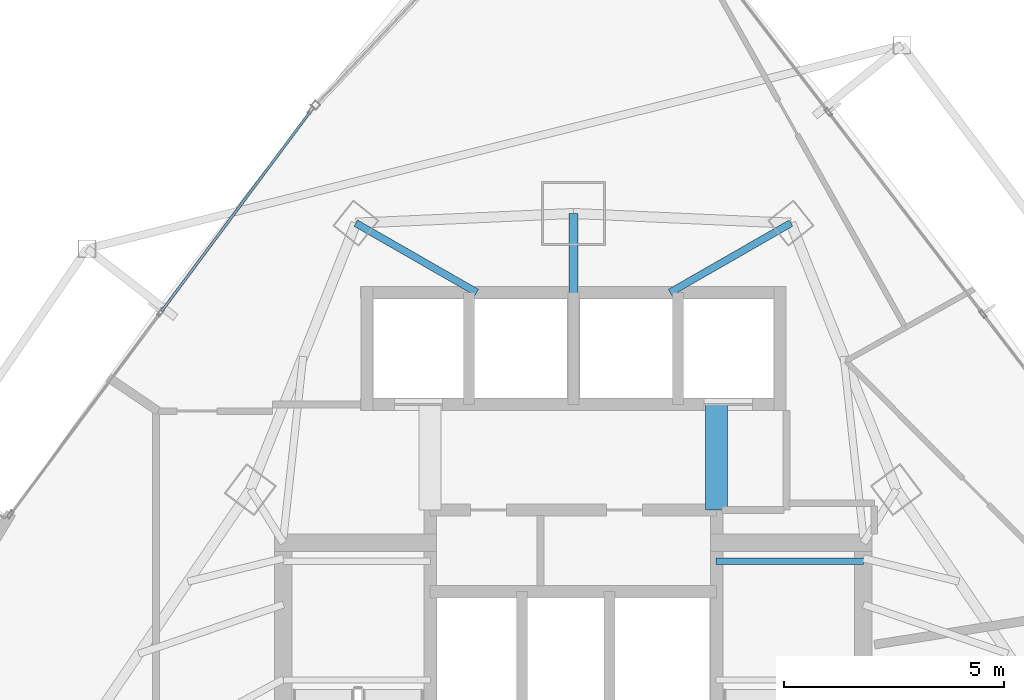
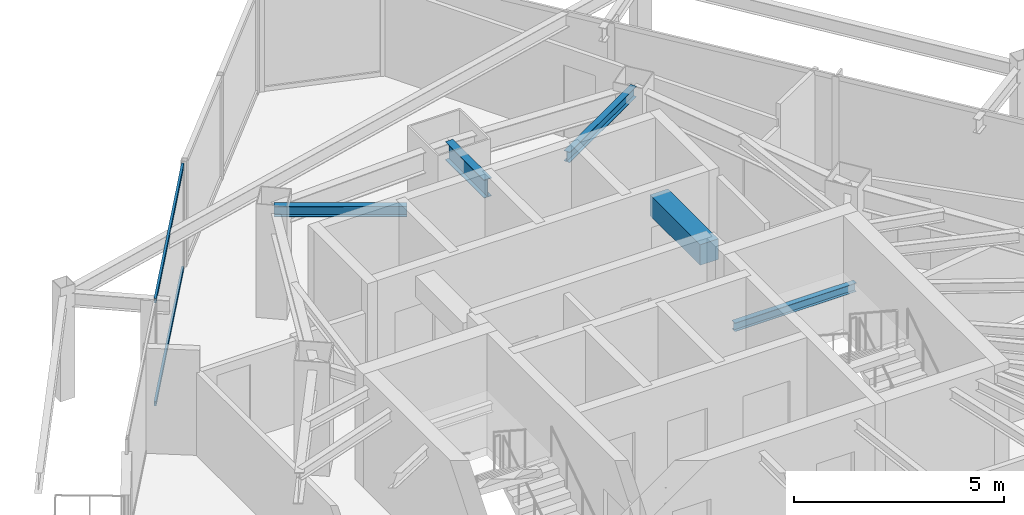
# One storey, part 21 of 33: 5 beams, 2 members, 1 element without a shape of its own.
"""IFC4 building model written with IfcOpenShell, lengths in metres."""

from ifc_helpers import new_model, si_unit, direction, frame, origin, origin_2d, place, context, subcontext, project, spatial, rectangle, hollow_rectangle, i_section, extrude, material, layer, layer_set, material_profile, profile_set, type_object, element, aggregate, save


model = new_model("IFC4")

# Units and contexts
model_context = context("Model", 3, precision=1e-05, world=origin(), true_north=direction((0.0, 1.0)))
body_context = subcontext(model_context, "Body", "Model", "MODEL_VIEW")
ifc_project = project(units=[si_unit("LENGTHUNIT", "METRE"), si_unit("AREAUNIT", "SQUARE_METRE"), si_unit("VOLUMEUNIT", "CUBIC_METRE"), si_unit("PLANEANGLEUNIT", "RADIAN"), si_unit("MASSUNIT", "GRAM", prefix="KILO")], contexts=[model_context])

# Site, building, storey
site_placement = place(None, origin())
site = spatial("IfcSite", under=ifc_project, at=site_placement, CompositionType="ELEMENT")
building_placement = place(site_placement, origin())
building = spatial("IfcBuilding", under=site, at=building_placement, Name="Orvanel Arch Residences", CompositionType="ELEMENT")
storey_placement = place(building_placement, frame((0.0, 0.0, 116.60009765625)))
storey = spatial("IfcBuildingStorey", under=building, at=storey_placement, Name="L32", CompositionType="ELEMENT", Elevation=116.60009765625)

# Beams
ifc_material_1 = material(Name="Structural steel AS/NZS 3679.1 Grade 300 (300 MPa)", Category="steel")
ifc_material_profile_1 = material_profile(ifc_material_1, i_section(OverallWidth=0.208984375, OverallDepth=0.532958984375, WebThickness=0.01025390625, FlangeThickness=0.015625, at=origin_2d()), Name="530UB92.4")
ifc_profile_set_1 = profile_set([ifc_material_profile_1], Name="Structural steel AS/NZS 3679.1 Grade 300 (300 MPa)")
beam_type_1 = type_object("IfcBeamType", Name="BG-530UB", PredefinedType="BEAM", material=ifc_profile_set_1)
beam_1_placement = place(storey_placement, frame((33.0, 39.550048828125, 2.7939453125), z_axis=(0.0, 1.0, 0.0), x_axis=(-1.0, 0.0, 0.0)))
element("IfcBeam", 1, at=beam_1_placement, inside=storey, type_object=beam_type_1, Name="L32 North Radial Girder", PredefinedType="BEAM", context=body_context, shape_type="SweptSolid", body=[
    extrude(i_section(OverallWidth=0.208984375, OverallDepth=0.532958984375, WebThickness=0.01025390625, FlangeThickness=0.015625, at=origin_2d()), origin(), (0.0, 0.0, 1.0), 1.847900390625),
])
ifc_material_profile_2 = material_profile(ifc_material_1, i_section(OverallWidth=0.14599609375, OverallDepth=0.251953125, WebThickness=0.006103515625, FlangeThickness=0.008544921875, at=origin_2d()), Name="250UB31.4")
ifc_profile_set_2 = profile_set([ifc_material_profile_2], Name="Structural steel AS/NZS 3679.1 Grade 300 (300 MPa)")
beam_type_2 = type_object("IfcBeamType", Name="BJ-250UB", PredefinedType="JOIST", material=ifc_profile_set_2)
beam_2_placement = place(storey_placement, frame((36.25, 33.47998046875, 1.323974609375), z_axis=(1.0, 0.0, 0.0), x_axis=(0.0, 1.0, 0.0)))
element("IfcBeam", 2, at=beam_2_placement, inside=storey, type_object=beam_type_2, Name="L32 ST-2 Half-Landing Support Beam 1.2", PredefinedType="JOIST", context=body_context, shape_type="SweptSolid", body=[
    extrude(i_section(OverallWidth=0.14599609375, OverallDepth=0.251953125, WebThickness=0.006103515625, FlangeThickness=0.008544921875, at=origin_2d()), origin(), (0.0, 0.0, 1.0), 3.35009765625),
])
ifc_material_profile_3 = material_profile(ifc_material_1, i_section(OverallWidth=0.1650390625, OverallDepth=0.303955078125, WebThickness=0.006103515625, FlangeThickness=0.01025390625, at=origin_2d()), Name="310UB40.4")
ifc_profile_set_3 = profile_set([ifc_material_profile_3], Name="Structural steel AS/NZS 3679.1 Grade 300 (300 MPa)")
beam_type_3 = type_object("IfcBeamType", Name="BJ-310UB", PredefinedType="JOIST", material=ifc_profile_set_3)
for number, where, z_axis, x_axis, name in (
    (3, (30.800048828125, 39.60009765625, 2.907958984375), (-0.86736513383, 0.497672306458, 0.0), (-0.497672306458, -0.86736513383, 0.0), "L32 MNW Wing Floor Joist"),
    (4, (35.199951171875, 39.60009765625, 2.907958984375), (0.86736513383, 0.497672306458, 0.0), (-0.497672306458, 0.86736513383, 0.0), "L32 MNE Wing Floor Joist"),
):
    element("IfcBeam", number, at=place(storey_placement, frame(where, z_axis=z_axis, x_axis=x_axis)), inside=storey, type_object=beam_type_3, Name=name, PredefinedType="JOIST", context=body_context, shape_type="SweptSolid", body=[
        extrude(i_section(OverallWidth=0.1650390625, OverallDepth=0.303955078125, WebThickness=0.006103515625, FlangeThickness=0.01025390625, at=origin_2d()), origin(), (0.0, 0.0, 1.0), 3.17041015625),
    ])
ifc_material_2 = material(Name="Concrete S65 (65 MPa)", Category="concrete")
ifc_material_profile_4 = material_profile(ifc_material_2, rectangle(XDim=0.5, YDim=0.60009765625, at=origin_2d()), Name="RC500x600")
ifc_profile_set_4 = profile_set([ifc_material_profile_4], Name="Concrete S65 (65 MPa)")
beam_type_4 = type_object("IfcBeamType", Name="CB-500x600", PredefinedType="LINTEL", material=ifc_profile_set_4)
beam_3_placement = place(storey_placement, frame((36.260009765625, 34.64990234375, 2.760009765625), z_axis=(0.0, 1.0, 0.0), x_axis=(-1.0, 0.0, 0.0)))
element("IfcBeam", 5, at=beam_3_placement, inside=storey, type_object=beam_type_4, Name="L32 East Core Lobby Coupling Lintel Beam", PredefinedType="LINTEL", context=body_context, shape_type="SweptSolid", body=[
    extrude(rectangle(XDim=0.5, YDim=0.60009765625, at=origin_2d()), origin(), (0.0, 0.0, 1.0), 2.400146484375),
])

# Curtain wall, members
ifc_material_3 = material(Name="Bronze-anodised aluminium AA6063-T6", Category="aluminium")
ifc_layer = layer(ifc_material_3, 0.179931640625)
ifc_layer_set = layer_set([ifc_layer], Name="Bronze-anodised aluminium AA6063-T6")
curtain_wall_type = type_object("IfcCurtainWallType", Name="CW3-MID-SYS", PredefinedType="NOTDEFINED", material=ifc_layer_set)
curtain_wall_placement = place(storey_placement, origin())
curtain_wall = element("IfcCurtainWall", 6, at=curtain_wall_placement, inside=storey, type_object=curtain_wall_type, Name="L32 CW3-MID-SYS Unitised Curtain Wall", PredefinedType="NOTDEFINED")
ifc_material_profile_5 = material_profile(ifc_material_3, hollow_rectangle(XDim=0.06005859375, YDim=0.135009765625, WallThickness=0.00390625, at=origin_2d()), Name="ALU135x60x4")
ifc_profile_set_5 = profile_set([ifc_material_profile_5], Name="Bronze-anodised aluminium AA6063-T6")
member_type = type_object("IfcMemberType", Name="TRN-135x60", PredefinedType="USERDEFINED", material=ifc_profile_set_5)
member_1_placement = place(storey_placement, frame((27.01123046875, 43.7177734375, 0.02978515625), z_axis=(-0.597175890933, -0.802110313666, 0.0), x_axis=(0.802110313666, -0.597175890933, 0.0)))
member_1 = element("IfcMember", 7, at=member_1_placement, type_object=member_type, Name="CW-S3 transom 1.1", ObjectType="TRANSOM", PredefinedType="USERDEFINED", context=body_context, shape_type="SweptSolid", body=[
    extrude(hollow_rectangle(XDim=0.06005859375, YDim=0.135009765625, WallThickness=0.00390625, at=origin_2d()), origin(), (0.0, 0.0, 1.0), 5.664794921875),
])
member_2_placement = place(storey_placement, frame((27.01123046875, 43.7177734375, 3.02978515625), z_axis=(-0.597175890933, -0.802110313666, 0.0), x_axis=(0.802110313666, -0.597175890933, 0.0)))
member_2 = element("IfcMember", 8, at=member_2_placement, type_object=member_type, Name="CW-S3 transom 1.2", ObjectType="TRANSOM", PredefinedType="USERDEFINED", context=body_context, shape_type="SweptSolid", body=[
    extrude(hollow_rectangle(XDim=0.06005859375, YDim=0.135009765625, WallThickness=0.00390625, at=origin_2d()), origin(), (0.0, 0.0, 1.0), 5.664794921875),
])
aggregate(curtain_wall, [member_1, member_2])

save(model, "model.ifc")
